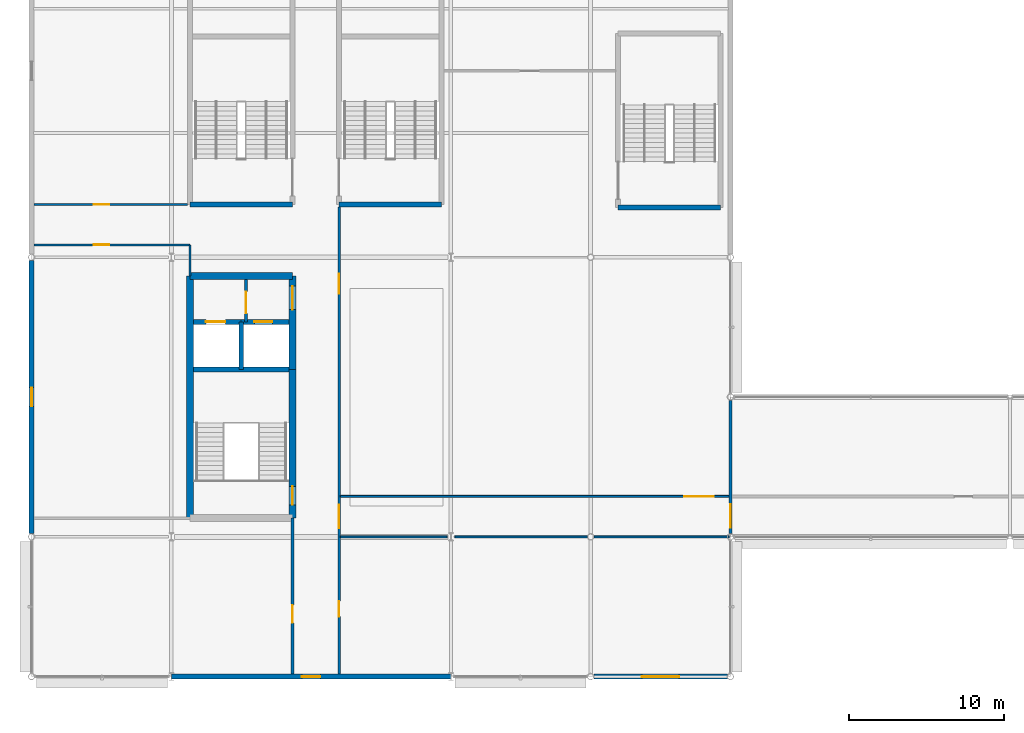
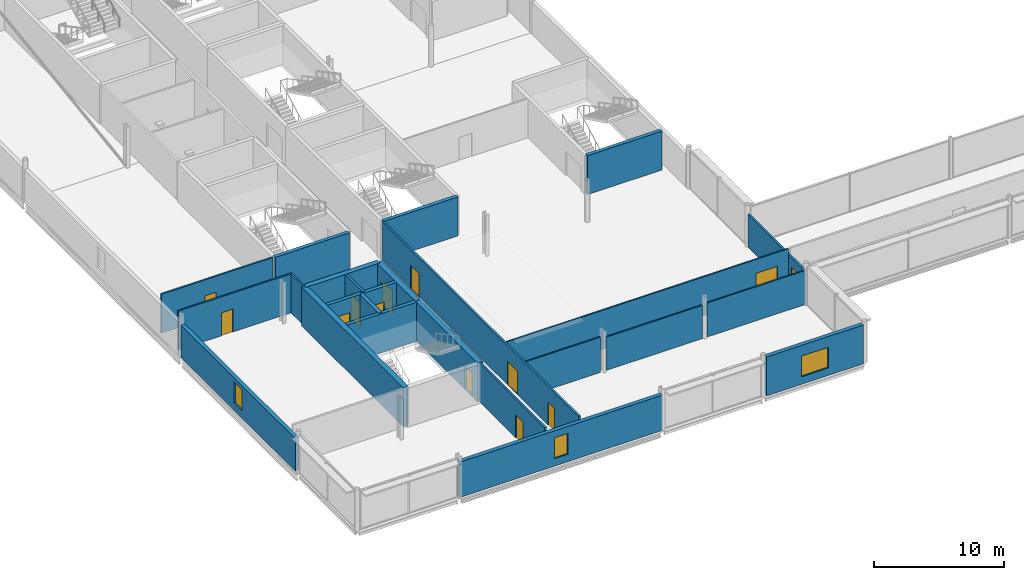
# One storey, part 53 of 96: 25 walls, 13 doors, 3 windows, 16 openings.
"""IFC4 building model written with IfcOpenShell, lengths in metres."""

from ifc_helpers import new_model, si_unit, direction, frame, frame_2d, origin, place, context, subcontext, project, spatial, rectangle, extrude, material, layer, layer_set, type_object, element, fill, save


model = new_model("IFC4")

# Units and contexts
model_context = context("Model", 3, precision=1e-05, world=origin(), true_north=direction((0.0, 1.0)))
body_context = subcontext(model_context, "Body", "Model", "MODEL_VIEW")
ifc_project = project(units=[si_unit("LENGTHUNIT", "METRE"), si_unit("AREAUNIT", "SQUARE_METRE"), si_unit("VOLUMEUNIT", "CUBIC_METRE"), si_unit("PLANEANGLEUNIT", "RADIAN"), si_unit("MASSUNIT", "GRAM", prefix="KILO")], contexts=[model_context])

# Site, building, storey
site_placement = place(None, origin())
site = spatial("IfcSite", under=ifc_project, at=site_placement, CompositionType="ELEMENT")
building_placement = place(site_placement, origin())
building = spatial("IfcBuilding", under=site, at=building_placement, Name="Kisiwana Market Hall", CompositionType="ELEMENT")
storey_placement = place(building_placement, frame((0.0, 0.0, 25.5)))
storey = spatial("IfcBuildingStorey", under=building, at=storey_placement, Name="L05", CompositionType="ELEMENT", Elevation=25.5)

# Wall, opening, door
ifc_material_1 = material(Name="Masonry blockwork", Category="masonry")
ifc_layer_1 = layer(ifc_material_1, 0.199951171875, Name="Plastered fire compartment block wall")
ifc_layer_set_1 = layer_set([ifc_layer_1], Name="WL-COMP-200")
wall_type_1 = type_object("IfcWallType", Name="WL-COMP-200", PredefinedType="PARTITIONING", material=ifc_layer_set_1)
wall_1_placement = place(storey_placement, frame((13.800048828125, 31.844970703125, 0.0), z_axis=(0.0, 0.0, 1.0), x_axis=(0.0, 1.0, 0.0)))
wall_1 = element("IfcWall", 1, at=wall_1_placement, inside=storey, type_object=wall_type_1, Name="Core W2 firefighting lobby wall W-1826", PredefinedType="PARTITIONING", context=body_context, shape_type="SweptSolid", body=[
    extrude(rectangle(XDim=2.72998046875, YDim=0.199951171875, at=frame_2d((1.364990234375, 0.0))), origin(), (0.0, 0.0, 1.0), 3.655029296875),
])
opening_1_placement = place(wall_1_placement, frame((0.550048828125, 0.0, 0.0)))
opening_1 = element("IfcOpeningElement", 2, at=opening_1_placement, cuts=wall_1, Name="Opening DR-L05-003", PredefinedType="OPENING", context=body_context, shape_type="SweptSolid", body=[
    extrude(rectangle(XDim=1.39990234375, YDim=2.25, at=frame_2d((0.699951171875, 1.125))), frame((0.0, 0.11181640625, 0.0), z_axis=(0.0, -1.0, 0.0), x_axis=(1.0, 0.0, 0.0)), (0.0, 0.0, 1.0), 0.223876953125),
])
ifc_material_2 = material(Name="Steel S275", Category="steel")
door_type_1 = type_object("IfcDoorType", Name="DR-FFLOB-FD120-1400", OperationType="DOUBLE_DOOR_SINGLE_SWING", PredefinedType="DOOR", material=ifc_material_2)
door_1_placement = place(opening_1_placement, frame((1.39990234375, 0.0, 0.0), z_axis=(0.0, 0.0, 1.0), x_axis=(-1.0, 0.0, 0.0)))
door_1 = element("IfcDoor", 3, at=door_1_placement, inside=storey, type_object=door_type_1, Name="Firefighting Lift Lobby W2 Door (L05)", OperationType="DOUBLE_DOOR_SINGLE_SWING", OverallHeight=2.25, OverallWidth=1.39990234375, PredefinedType="DOOR", context=body_context, shape_type="SweptSolid", body=[
    extrude(rectangle(XDim=1.39990234375, YDim=2.25, at=frame_2d((0.699951171875, 1.125))), frame((0.0, 0.02490234375, 0.0), z_axis=(0.0, -1.0, 0.0), x_axis=(1.0, 0.0, 0.0)), (0.0, 0.0, 1.0), 0.050048828125),
])
fill(opening_1, door_1)

# Walls
ifc_material_3 = material(Name="Concrete C40/50", Category="concrete")
ifc_layer_2 = layer(ifc_material_3, 0.320068359375, Name="Reinforced concrete shaft wall")
ifc_layer_set_2 = layer_set([ifc_layer_2], Name="WL-CORE-320")
wall_type_2 = type_object("IfcWallType", Name="WL-CORE-320", PredefinedType="SHEAR", material=ifc_layer_set_2)
wall_2_placement = place(storey_placement, frame((10.425048828125, 28.784912109375, 0.0), z_axis=(0.0, 0.0, 1.0), x_axis=(1.0, 0.0, 0.0)))
element("IfcWall", 4, at=wall_2_placement, inside=storey, type_object=wall_type_2, Name="Core W2 shaft back shear wall W-1707", PredefinedType="SHEAR", context=body_context, shape_type="SweptSolid", body=[
    extrude(rectangle(XDim=6.14990234375, YDim=0.320068359375, at=frame_2d((3.074951171875, 0.0))), origin(), (0.0, 0.0, 1.0), 3.655029296875),
])
wall_3_placement = place(storey_placement, frame((13.5, 28.784912109375, 0.0), z_axis=(0.0, 0.0, 1.0), x_axis=(0.0, 1.0, 0.0)))
element("IfcWall", 5, at=wall_3_placement, inside=storey, type_object=wall_type_2, Name="Core W2 inter-shaft shear wall W-1708", PredefinedType="SHEAR", context=body_context, shape_type="SweptSolid", body=[
    extrude(rectangle(XDim=3.06005859375, YDim=0.320068359375, at=frame_2d((1.530029296875, 0.0))), origin(), (0.0, 0.0, 1.0), 3.655029296875),
])

# Wall, opening, door
wall_4_placement = place(storey_placement, frame((10.425048828125, 31.844970703125, 0.0), z_axis=(0.0, 0.0, 1.0), x_axis=(1.0, 0.0, 0.0)))
wall_4 = element("IfcWall", 6, at=wall_4_placement, inside=storey, type_object=wall_type_2, Name="Core W2 west lift front wall W-1709", PredefinedType="SHEAR", context=body_context, shape_type="SweptSolid", body=[
    extrude(rectangle(XDim=3.074951171875, YDim=0.320068359375, at=frame_2d((1.53759765625, 0.0))), origin(), (0.0, 0.0, 1.0), 3.655029296875),
])
opening_2_placement = place(wall_4_placement, frame((0.800048828125, 0.0, 0.0)))
opening_2 = element("IfcOpeningElement", 7, at=opening_2_placement, cuts=wall_4, Name="Opening LD-L05-001", PredefinedType="OPENING", context=body_context, shape_type="SweptSolid", body=[
    extrude(rectangle(XDim=1.25, YDim=2.25, at=frame_2d((0.625, 1.125))), frame((0.0, 0.171875, 0.0), z_axis=(0.0, -1.0, 0.0), x_axis=(1.0, 0.0, 0.0)), (0.0, 0.0, 1.0), 0.343994140625),
])
ifc_material_4 = material(Name="Steel S275", Category="steel")
door_type_2 = type_object("IfcDoorType", Name="DR-LIFT-FFL-1250", OperationType="DOUBLE_DOOR_SLIDING", PredefinedType="DOOR", material=ifc_material_4)
door_2_placement = place(opening_2_placement, origin())
door_2 = element("IfcDoor", 8, at=door_2_placement, inside=storey, type_object=door_type_2, Name="Lift Landing Door FFL-01 (L05)", OperationType="DOUBLE_DOOR_SLIDING", OverallHeight=2.25, OverallWidth=1.25, PredefinedType="DOOR", context=body_context, shape_type="SweptSolid", body=[
    extrude(rectangle(XDim=1.25, YDim=2.25, at=frame_2d((0.625, 1.125))), frame((0.0, 0.02490234375, 0.0), z_axis=(0.0, -1.0, 0.0), x_axis=(1.0, 0.0, 0.0)), (0.0, 0.0, 1.0), 0.050048828125),
])
fill(opening_2, door_2)

wall_5_placement = place(storey_placement, frame((13.5, 31.844970703125, 0.0), z_axis=(0.0, 0.0, 1.0), x_axis=(1.0, 0.0, 0.0)))
wall_5 = element("IfcWall", 9, at=wall_5_placement, inside=storey, type_object=wall_type_2, Name="Core W2 east lift front wall W-1710", PredefinedType="SHEAR", context=body_context, shape_type="SweptSolid", body=[
    extrude(rectangle(XDim=3.074951171875, YDim=0.320068359375, at=frame_2d((1.53759765625, 0.0))), origin(), (0.0, 0.0, 1.0), 3.655029296875),
])
opening_3_placement = place(wall_5_placement, frame((0.85009765625, 0.0, 0.0)))
opening_3 = element("IfcOpeningElement", 10, at=opening_3_placement, cuts=wall_5, Name="Opening LD-L05-002", PredefinedType="OPENING", context=body_context, shape_type="SweptSolid", body=[
    extrude(rectangle(XDim=1.14990234375, YDim=2.199951171875, at=frame_2d((0.574951171875, 1.10009765625))), frame((0.0, 0.171875, 0.0), z_axis=(0.0, -1.0, 0.0), x_axis=(1.0, 0.0, 0.0)), (0.0, 0.0, 1.0), 0.343994140625),
])
ifc_material_5 = material(Name="Steel S275", Category="steel")
door_type_3 = type_object("IfcDoorType", Name="DR-LIFT-PAX-1150", OperationType="DOUBLE_DOOR_SLIDING", PredefinedType="DOOR", material=ifc_material_5)
door_3_placement = place(opening_3_placement, origin())
door_3 = element("IfcDoor", 11, at=door_3_placement, inside=storey, type_object=door_type_3, Name="Lift Landing Door LP-01 (L05)", OperationType="DOUBLE_DOOR_SLIDING", OverallHeight=2.199951171875, OverallWidth=1.14990234375, PredefinedType="DOOR", context=body_context, shape_type="SweptSolid", body=[
    extrude(rectangle(XDim=1.14990234375, YDim=2.199951171875, at=frame_2d((0.574951171875, 1.10009765625))), frame((0.0, 0.02490234375, 0.0), z_axis=(0.0, -1.0, 0.0), x_axis=(1.0, 0.0, 0.0)), (0.0, 0.0, 1.0), 0.050048828125),
])
fill(opening_3, door_3)

# Walls
wall_6_placement = place(storey_placement, frame((10.199951171875, 39.39990234375, 0.0), z_axis=(0.0, 0.0, 1.0), x_axis=(1.0, 0.0, 0.0)))
element("IfcWall", 12, at=wall_6_placement, inside=storey, type_object=wall_type_2, Name="Core W3 south shear wall W-1738", PredefinedType="SHEAR", context=body_context, shape_type="SweptSolid", body=[
    extrude(rectangle(XDim=6.60009765625, YDim=0.320068359375, at=frame_2d((3.300048828125, 0.0))), origin(), (0.0, 0.0, 1.0), 3.655029296875),
])
wall_7_placement = place(storey_placement, frame((19.800048828125, 39.39990234375, 0.0), z_axis=(0.0, 0.0, 1.0), x_axis=(1.0, 0.0, 0.0)))
element("IfcWall", 13, at=wall_7_placement, inside=storey, type_object=wall_type_2, Name="Core W7 south shear wall W-1758", PredefinedType="SHEAR", context=body_context, shape_type="SweptSolid", body=[
    extrude(rectangle(XDim=6.599853515625, YDim=0.320068359375, at=frame_2d((3.2998046875, 0.0))), origin(), (0.0, 0.0, 1.0), 3.655029296875),
])
wall_8_placement = place(storey_placement, frame((37.77001953125, 39.199951171875, 0.0), z_axis=(0.0, 0.0, 1.0), x_axis=(1.0, 0.0, 0.0)))
element("IfcWall", 14, at=wall_8_placement, inside=storey, type_object=wall_type_2, Name="Core W9 south shear wall W-1778", PredefinedType="SHEAR", context=body_context, shape_type="SweptSolid", body=[
    extrude(rectangle(XDim=6.60009765625, YDim=0.320068359375, at=frame_2d((3.300048828125, 0.0))), origin(), (0.0, 0.0, 1.0), 3.655029296875),
])
ifc_material_6 = material(Name="Concrete C40/50", Category="concrete")
ifc_layer_3 = layer(ifc_material_6, 0.449951171875, Name="Reinforced concrete core wall")
ifc_layer_set_3 = layer_set([ifc_layer_3], Name="WL-CORE-450")
wall_type_3 = type_object("IfcWallType", Name="WL-CORE-450", PredefinedType="SHEAR", material=ifc_layer_set_3)
wall_9_placement = place(storey_placement, frame((10.199951171875, 34.800048828125, 0.0), z_axis=(0.0, 0.0, 1.0), x_axis=(1.0, 0.0, 0.0)))
element("IfcWall", 15, at=wall_9_placement, inside=storey, type_object=wall_type_3, Name="Core W2 north shear wall W-1703", PredefinedType="SHEAR", context=body_context, shape_type="SweptSolid", body=[
    extrude(rectangle(XDim=6.60009765625, YDim=0.449951171875, at=frame_2d((3.300048828125, 0.0))), origin(), (0.0, 0.0, 1.0), 3.655029296875),
])
wall_10_placement = place(storey_placement, frame((10.199951171875, 19.199951171875, 0.0), z_axis=(0.0, 0.0, 1.0), x_axis=(0.0, 1.0, 0.0)))
element("IfcWall", 16, at=wall_10_placement, inside=storey, type_object=wall_type_3, Name="Core W2 outer shear wall W-1704", PredefinedType="SHEAR", context=body_context, shape_type="SweptSolid", body=[
    extrude(rectangle(XDim=15.60009765625, YDim=0.449951171875, at=frame_2d((7.800048828125, 0.0))), origin(), (0.0, 0.0, 1.0), 3.655029296875),
])

# Wall, opening, door
wall_11_placement = place(storey_placement, frame((16.800048828125, 19.199951171875, 0.0), z_axis=(0.0, 0.0, 1.0), x_axis=(0.0, 1.0, 0.0)))
wall_11 = element("IfcWall", 17, at=wall_11_placement, inside=storey, type_object=wall_type_3, Name="Core W2 stair corridor shear wall W-1705", PredefinedType="SHEAR", context=body_context, shape_type="SweptSolid", body=[
    extrude(rectangle(XDim=9.5849609375, YDim=0.449951171875, at=frame_2d((4.79248046875, 0.0))), origin(), (0.0, 0.0, 1.0), 3.655029296875),
])
opening_4_placement = place(wall_11_placement, frame((0.85009765625, 0.0, 0.0)))
opening_4 = element("IfcOpeningElement", 18, at=opening_4_placement, cuts=wall_11, Name="Opening DR-L05-001", PredefinedType="OPENING", context=body_context, shape_type="SweptSolid", body=[
    extrude(rectangle(XDim=1.199951171875, YDim=2.199951171875, at=frame_2d((0.60009765625, 1.10009765625))), frame((0.0, 0.23681640625, 0.0), z_axis=(0.0, -1.0, 0.0), x_axis=(1.0, 0.0, 0.0)), (0.0, 0.0, 1.0), 0.473876953125),
])
ifc_material_7 = material(Name="Steel S275", Category="steel")
door_type_4 = type_object("IfcDoorType", Name="DR-STAIR-FD120-1200", OperationType="NOTDEFINED", PredefinedType="DOOR", material=ifc_material_7)
door_4_placement = place(opening_4_placement, origin())
door_4 = element("IfcDoor", 19, at=door_4_placement, inside=storey, type_object=door_type_4, Name="Escape Stair W2 Fire Door (L05)", OperationType="SINGLE_SWING_LEFT", OverallHeight=2.199951171875, OverallWidth=1.199951171875, PredefinedType="DOOR", context=body_context, shape_type="SweptSolid", body=[
    extrude(rectangle(XDim=1.199951171875, YDim=2.199951171875, at=frame_2d((0.60009765625, 1.10009765625))), frame((0.0, 0.02490234375, 0.0), z_axis=(0.0, -1.0, 0.0), x_axis=(1.0, 0.0, 0.0)), (0.0, 0.0, 1.0), 0.050048828125),
])
fill(opening_4, door_4)

wall_12_placement = place(storey_placement, frame((16.800048828125, 28.784912109375, 0.0), z_axis=(0.0, 0.0, 1.0), x_axis=(0.0, 1.0, 0.0)))
wall_12 = element("IfcWall", 20, at=wall_12_placement, inside=storey, type_object=wall_type_3, Name="Core W2 lobby corridor shear wall W-1706", PredefinedType="SHEAR", context=body_context, shape_type="SweptSolid", body=[
    extrude(rectangle(XDim=6.01513671875, YDim=0.449951171875, at=frame_2d((3.007568359375, 0.0))), origin(), (0.0, 0.0, 1.0), 3.655029296875),
])
opening_5_placement = place(wall_12_placement, frame((3.85009765625, 0.0, 0.0)))
opening_5 = element("IfcOpeningElement", 21, at=opening_5_placement, cuts=wall_12, Name="Opening DR-L05-002", PredefinedType="OPENING", context=body_context, shape_type="SweptSolid", body=[
    extrude(rectangle(XDim=1.5, YDim=2.199951171875, at=frame_2d((0.75, 1.10009765625))), frame((0.0, 0.23681640625, 0.0), z_axis=(0.0, -1.0, 0.0), x_axis=(1.0, 0.0, 0.0)), (0.0, 0.0, 1.0), 0.473876953125),
])
ifc_material_8 = material(Name="Steel S275", Category="steel")
door_type_5 = type_object("IfcDoorType", Name="DR-CORR-FD60-1500", OperationType="DOUBLE_DOOR_SINGLE_SWING", PredefinedType="DOOR", material=ifc_material_8)
door_5_placement = place(opening_5_placement, frame((1.5, 0.0, 0.0), z_axis=(0.0, 0.0, 1.0), x_axis=(-1.0, 0.0, 0.0)))
door_5 = element("IfcDoor", 22, at=door_5_placement, inside=storey, type_object=door_type_5, Name="Passenger Lift Lobby W2 Smoke Door (L05)", OperationType="DOUBLE_DOOR_SINGLE_SWING", OverallHeight=2.199951171875, OverallWidth=1.5, PredefinedType="DOOR", context=body_context, shape_type="SweptSolid", body=[
    extrude(rectangle(XDim=1.5, YDim=2.199951171875, at=frame_2d((0.75, 1.10009765625))), frame((0.0, 0.02490234375, 0.0), z_axis=(0.0, -1.0, 0.0), x_axis=(1.0, 0.0, 0.0)), (0.0, 0.0, 1.0), 0.050048828125),
])
fill(opening_5, door_5)

ifc_material_9 = material(Name="Masonry blockwork", Category="masonry")
ifc_layer_4 = layer(ifc_material_9, 0.169921875, Name="Protected corridor partition")
ifc_layer_set_4 = layer_set([ifc_layer_4], Name="WL-CORR-170")
wall_type_4 = type_object("IfcWallType", Name="WL-CORR-170", PredefinedType="PARTITIONING", material=ifc_layer_set_4)
wall_13_placement = place(storey_placement, frame((16.800048828125, 9.157470703125, 0.0), z_axis=(0.0, 0.0, 1.0), x_axis=(0.0, 1.0, 0.0)))
wall_13 = element("IfcWall", 23, at=wall_13_placement, inside=storey, type_object=wall_type_4, Name="Interior partition W-1842", PredefinedType="PARTITIONING", context=body_context, shape_type="SweptSolid", body=[
    extrude(rectangle(XDim=10.04248046875, YDim=0.169921875, at=frame_2d((5.021240234375, 0.0))), origin(), (0.0, 0.0, 1.0), 3.655029296875),
])
opening_6_placement = place(wall_13_placement, frame((3.300048828125, 0.0, 0.0)))
opening_6 = element("IfcOpeningElement", 24, at=opening_6_placement, cuts=wall_13, Name="Opening DR-L05-033", PredefinedType="OPENING", context=body_context, shape_type="SweptSolid", body=[
    extrude(rectangle(XDim=1.14990234375, YDim=2.14990234375, at=frame_2d((0.574951171875, 1.074951171875))), frame((0.0, 0.096923828125, 0.0), z_axis=(0.0, -1.0, 0.0), x_axis=(1.0, 0.0, 0.0)), (0.0, 0.0, 1.0), 0.19384765625),
])
ifc_material_10 = material(Name="Aluminium alloy 6063-T6", Category="aluminium")
door_type_6 = type_object("IfcDoorType", Name="DR-MEET-1150", OperationType="NOTDEFINED", PredefinedType="DOOR", material=ifc_material_10)
door_6_placement = place(opening_6_placement, origin())
door_6 = element("IfcDoor", 25, at=door_6_placement, inside=storey, type_object=door_type_6, Name="L05 W Corner Office Suite South Door", OperationType="SINGLE_SWING_LEFT", OverallHeight=2.14990234375, OverallWidth=1.14990234375, PredefinedType="DOOR", context=body_context, shape_type="SweptSolid", body=[
    extrude(rectangle(XDim=1.14990234375, YDim=2.14990234375, at=frame_2d((0.574951171875, 1.074951171875))), frame((0.0, 0.02490234375, 0.0), z_axis=(0.0, -1.0, 0.0), x_axis=(1.0, 0.0, 0.0)), (0.0, 0.0, 1.0), 0.050048828125),
])
fill(opening_6, door_6)

# Wall, openings, doors
wall_14_placement = place(storey_placement, frame((19.800048828125, 9.157470703125, 0.0), z_axis=(0.0, 0.0, 1.0), x_axis=(0.0, 1.0, 0.0)))
wall_14 = element("IfcWall", 26, at=wall_14_placement, inside=storey, type_object=wall_type_4, Name="Interior partition W-1854", PredefinedType="PARTITIONING", context=body_context, shape_type="SweptSolid", body=[
    extrude(rectangle(XDim=30.08251953125, YDim=0.169921875, at=frame_2d((15.041259765625, 0.0))), origin(), (0.0, 0.0, 1.0), 3.655029296875),
])
opening_7_placement = place(wall_14_placement, frame((3.701904296875, 0.0, 0.0)))
opening_7 = element("IfcOpeningElement", 27, at=opening_7_placement, cuts=wall_14, Name="Opening DR-L05-037", PredefinedType="OPENING", context=body_context, shape_type="SweptSolid", body=[
    extrude(rectangle(XDim=1.0, YDim=2.14990234375, at=frame_2d((0.5, 1.074951171875))), frame((0.0, 0.096923828125, 0.0), z_axis=(0.0, -1.0, 0.0), x_axis=(1.0, 0.0, 0.0)), (0.0, 0.0, 1.0), 0.19384765625),
])
opening_8_placement = place(wall_14_placement, frame((9.39306640625, 0.0, 0.0)))
opening_8 = element("IfcOpeningElement", 28, at=opening_8_placement, cuts=wall_14, Name="Opening DR-L05-038", PredefinedType="OPENING", context=body_context, shape_type="SweptSolid", body=[
    extrude(rectangle(XDim=1.5, YDim=2.199951171875, at=frame_2d((0.75, 1.10009765625))), frame((0.0, 0.096923828125, 0.0), z_axis=(0.0, -1.0, 0.0), x_axis=(1.0, 0.0, 0.0)), (0.0, 0.0, 1.0), 0.19384765625),
])
opening_9_placement = place(wall_14_placement, frame((24.501953125, 0.0, 0.0)))
opening_9 = element("IfcOpeningElement", 29, at=opening_9_placement, cuts=wall_14, Name="Opening DR-L05-039", PredefinedType="OPENING", context=body_context, shape_type="SweptSolid", body=[
    extrude(rectangle(XDim=1.280029296875, YDim=2.199951171875, at=frame_2d((0.64013671875, 1.10009765625))), frame((0.0, 0.096923828125, 0.0), z_axis=(0.0, -1.0, 0.0), x_axis=(1.0, 0.0, 0.0)), (0.0, 0.0, 1.0), 0.19384765625),
])
door_7_placement = place(opening_8_placement, origin())
door_7 = element("IfcDoor", 30, at=door_7_placement, inside=storey, type_object=door_type_5, Name="L05 W South Skybridge Link Corridor Door", OperationType="DOUBLE_DOOR_SINGLE_SWING", OverallHeight=2.199951171875, OverallWidth=1.5, PredefinedType="DOOR", context=body_context, shape_type="SweptSolid", body=[
    extrude(rectangle(XDim=1.5, YDim=2.199951171875, at=frame_2d((0.75, 1.10009765625))), frame((0.0, 0.02490234375, 0.0), z_axis=(0.0, -1.0, 0.0), x_axis=(1.0, 0.0, 0.0)), (0.0, 0.0, 1.0), 0.050048828125),
])
fill(opening_8, door_7)
ifc_material_11 = material(Name="Hardwood timber", Category="wood")
door_type_7 = type_object("IfcDoorType", Name="DR-MEET-1280", OperationType="NOTDEFINED", PredefinedType="DOOR", material=ifc_material_11)
door_8_placement = place(opening_9_placement, frame((1.280029296875, 0.0, 0.0), z_axis=(0.0, 0.0, 1.0), x_axis=(-1.0, 0.0, 0.0)))
door_8 = element("IfcDoor", 31, at=door_8_placement, inside=storey, type_object=door_type_7, Name="L05 W Meeting Room A2 Door", OperationType="SINGLE_SWING_LEFT", OverallHeight=2.199951171875, OverallWidth=1.280029296875, PredefinedType="DOOR", context=body_context, shape_type="SweptSolid", body=[
    extrude(rectangle(XDim=1.280029296875, YDim=2.199951171875, at=frame_2d((0.64013671875, 1.10009765625))), frame((0.0, 0.02490234375, 0.0), z_axis=(0.0, -1.0, 0.0), x_axis=(1.0, 0.0, 0.0)), (0.0, 0.0, 1.0), 0.050048828125),
])
fill(opening_9, door_8)
ifc_material_12 = material(Name="Aluminium alloy 6063-T6", Category="aluminium")
door_type_8 = type_object("IfcDoorType", Name="DR-OFF-1000", OperationType="NOTDEFINED", PredefinedType="DOOR", material=ifc_material_12)
door_9_placement = place(opening_7_placement, frame((1.0, 0.0, 0.0), z_axis=(0.0, 0.0, 1.0), x_axis=(-1.0, 0.0, 0.0)))
door_9 = element("IfcDoor", 32, at=door_9_placement, inside=storey, type_object=door_type_8, Name="L05 W Commercial Office A1 Door", OperationType="SINGLE_SWING_RIGHT", OverallHeight=2.14990234375, OverallWidth=1.0, PredefinedType="DOOR", context=body_context, shape_type="SweptSolid", body=[
    extrude(rectangle(XDim=1.0, YDim=2.14990234375, at=frame_2d((0.5, 1.074951171875))), frame((0.0, 0.02490234375, 0.0), z_axis=(0.0, -1.0, 0.0), x_axis=(1.0, 0.0, 0.0)), (0.0, 0.0, 1.0), 0.050048828125),
])
fill(opening_7, door_9)

# Wall, opening, door
wall_15_placement = place(storey_placement, frame((45.0, 18.219970703125, 0.0), z_axis=(0.0, 0.0, 1.0), x_axis=(0.0, 1.0, 0.0)))
wall_15 = element("IfcWall", 33, at=wall_15_placement, inside=storey, type_object=wall_type_4, Name="Interior partition W-1856", PredefinedType="PARTITIONING", context=body_context, shape_type="SweptSolid", body=[
    extrude(rectangle(XDim=8.56005859375, YDim=0.169921875, at=frame_2d((4.280029296875, 0.0))), origin(), (0.0, 0.0, 1.0), 3.101806640625),
])
opening_10_placement = place(wall_15_placement, frame((0.3798828125, 0.0, 0.0)))
opening_10 = element("IfcOpeningElement", 34, at=opening_10_placement, cuts=wall_15, Name="Opening DR-L05-044", PredefinedType="OPENING", context=body_context, shape_type="SweptSolid", body=[
    extrude(rectangle(XDim=1.5, YDim=2.199951171875, at=frame_2d((0.75, 1.10009765625))), frame((0.0, 0.096923828125, 0.0), z_axis=(0.0, -1.0, 0.0), x_axis=(1.0, 0.0, 0.0)), (0.0, 0.0, 1.0), 0.19384765625),
])
door_10_placement = place(opening_10_placement, origin())
door_10 = element("IfcDoor", 35, at=door_10_placement, inside=storey, type_object=door_type_5, Name="L05 W South Skybridge Spine Door", OperationType="DOUBLE_DOOR_SINGLE_SWING", OverallHeight=2.199951171875, OverallWidth=1.5, PredefinedType="DOOR", context=body_context, shape_type="SweptSolid", body=[
    extrude(rectangle(XDim=1.5, YDim=2.199951171875, at=frame_2d((0.75, 1.10009765625))), frame((0.0, 0.02490234375, 0.0), z_axis=(0.0, -1.0, 0.0), x_axis=(1.0, 0.0, 0.0)), (0.0, 0.0, 1.0), 0.050048828125),
])
fill(opening_10, door_10)

# Wall, opening, window
ifc_material_13 = material(Name="Concrete C40/50 precast", Category="concrete")
ifc_layer_5 = layer(ifc_material_13, 0.14990234375, Name="Precast architectural concrete spandrel")
ifc_material_14 = material(Name="Mineral wool insulation")
ifc_layer_6 = layer(ifc_material_14, 0.090087890625, Name="Rockwool thermal insulation")
ifc_material_15 = material(Name="Masonry blockwork", Category="masonry")
ifc_layer_7 = layer(ifc_material_15, 0.10009765625, Name="Inner masonry block leaf")
ifc_layer_set_5 = layer_set([ifc_layer_5, ifc_layer_6, ifc_layer_7], Name="WL-EXT-PREC-340")
wall_type_5 = type_object("IfcWallType", Name="WL-EXT-PREC-340", PredefinedType="STANDARD", material=ifc_layer_set_5)
wall_16_placement = place(storey_placement, frame((9.010009765625, 9.0, 0.0), z_axis=(0.0, 0.0, 1.0), x_axis=(1.0, 0.0, 0.0)))
wall_16 = element("IfcWall", 36, at=wall_16_placement, inside=storey, type_object=wall_type_5, Name="Exterior wall W-1802", PredefinedType="STANDARD", context=body_context, shape_type="SweptSolid", body=[
    extrude(rectangle(XDim=17.97998046875, YDim=0.340087890625, at=frame_2d((8.989990234375, 0.0))), origin(), (0.0, 0.0, 1.0), 3.315185546875),
])
opening_11_placement = place(wall_16_placement, frame((8.389892578125, 0.0, 0.699951171875)))
opening_11 = element("IfcOpeningElement", 37, at=opening_11_placement, cuts=wall_16, Name="Opening WN-15", PredefinedType="OPENING", context=body_context, shape_type="SweptSolid", body=[
    extrude(rectangle(XDim=1.199951171875, YDim=1.949951171875, at=frame_2d((0.60009765625, 0.97509765625))), frame((0.0, 0.18212890625, 0.0), z_axis=(0.0, -1.0, 0.0), x_axis=(1.0, 0.0, 0.0)), (0.0, 0.0, 1.0), 0.364013671875),
])
ifc_material_16 = material(Name="Double-glazed solar-control low-E IGU", Category="glass")
window_type_1 = type_object("IfcWindowType", Name="WN-OFFA-1200x1950", PartitioningType="SINGLE_PANEL", PredefinedType="WINDOW", material=ifc_material_16)
window_1_placement = place(opening_11_placement, origin())
window_1 = element("IfcWindow", 38, at=window_1_placement, inside=storey, type_object=window_type_1, Name="Exterior window WN-167", OverallHeight=1.949951171875, OverallWidth=1.199951171875, PartitioningType="SINGLE_PANEL", PredefinedType="WINDOW", context=body_context, shape_type="SweptSolid", body=[
    extrude(rectangle(XDim=1.199951171875, YDim=1.949951171875, at=frame_2d((0.60009765625, 0.97509765625))), frame((0.0, 0.030029296875, 0.0), z_axis=(0.0, -1.0, 0.0), x_axis=(1.0, 0.0, 0.0)), (0.0, 0.0, 1.0), 0.06005859375),
])
fill(opening_11, window_1)

wall_17_placement = place(storey_placement, frame((36.205078125, 9.0, 0.0), z_axis=(0.0, 0.0, 1.0), x_axis=(1.0, 0.0, 0.0)))
wall_17 = element("IfcWall", 39, at=wall_17_placement, inside=storey, type_object=wall_type_5, Name="Exterior wall W-1803", PredefinedType="STANDARD", context=body_context, shape_type="SweptSolid", body=[
    extrude(rectangle(XDim=8.58984375, YDim=0.340087890625, at=frame_2d((4.294921875, 0.0))), origin(), (0.0, 0.0, 1.0), 3.655029296875),
])
opening_12_placement = place(wall_17_placement, frame((3.0947265625, 0.0, 0.699951171875)))
opening_12 = element("IfcOpeningElement", 40, at=opening_12_placement, cuts=wall_17, Name="Opening WN-27", PredefinedType="OPENING", context=body_context, shape_type="SweptSolid", body=[
    extrude(rectangle(XDim=2.39990234375, YDim=1.949951171875, at=frame_2d((1.199951171875, 0.97509765625))), frame((0.0, 0.18212890625, 0.0), z_axis=(0.0, -1.0, 0.0), x_axis=(1.0, 0.0, 0.0)), (0.0, 0.0, 1.0), 0.364013671875),
])
ifc_material_17 = material(Name="Double-glazed solar-control low-E IGU", Category="glass")
window_type_2 = type_object("IfcWindowType", Name="WN-OFFA-2400x1950", PartitioningType="SINGLE_PANEL", PredefinedType="WINDOW", material=ifc_material_17)
window_2_placement = place(opening_12_placement, origin())
window_2 = element("IfcWindow", 41, at=window_2_placement, inside=storey, type_object=window_type_2, Name="Exterior window WN-179", OverallHeight=1.949951171875, OverallWidth=2.39990234375, PartitioningType="SINGLE_PANEL", PredefinedType="WINDOW", context=body_context, shape_type="SweptSolid", body=[
    extrude(rectangle(XDim=2.39990234375, YDim=1.949951171875, at=frame_2d((1.199951171875, 0.97509765625))), frame((0.0, 0.030029296875, 0.0), z_axis=(0.0, -1.0, 0.0), x_axis=(1.0, 0.0, 0.0)), (0.0, 0.0, 1.0), 0.06005859375),
])
fill(opening_12, window_2)

wall_18_placement = place(storey_placement, frame((0.0, 18.205078125, 0.0), z_axis=(0.0, 0.0, 1.0), x_axis=(0.0, 1.0, 0.0)))
wall_18 = element("IfcWall", 42, at=wall_18_placement, inside=storey, type_object=wall_type_5, Name="Exterior wall W-1812", PredefinedType="STANDARD", context=body_context, shape_type="SweptSolid", body=[
    extrude(rectangle(XDim=17.58984375, YDim=0.340087890625, at=frame_2d((8.794921875, 0.0))), origin(), (0.0, 0.0, 1.0), 3.042724609375),
])
opening_13_placement = place(wall_18_placement, frame((8.19482421875, 0.0, 0.699951171875)))
opening_13 = element("IfcOpeningElement", 43, at=opening_13_placement, cuts=wall_18, Name="Opening WN-15", PredefinedType="OPENING", context=body_context, shape_type="SweptSolid", body=[
    extrude(rectangle(XDim=1.199951171875, YDim=1.949951171875, at=frame_2d((0.60009765625, 0.97509765625))), frame((0.0, 0.18212890625, 0.0), z_axis=(0.0, -1.0, 0.0), x_axis=(1.0, 0.0, 0.0)), (0.0, 0.0, 1.0), 0.364013671875),
])
window_3_placement = place(opening_13_placement, origin())
window_3 = element("IfcWindow", 44, at=window_3_placement, inside=storey, type_object=window_type_1, Name="Exterior window WN-171", OverallHeight=1.949951171875, OverallWidth=1.199951171875, PartitioningType="SINGLE_PANEL", PredefinedType="WINDOW", context=body_context, shape_type="SweptSolid", body=[
    extrude(rectangle(XDim=1.199951171875, YDim=1.949951171875, at=frame_2d((0.60009765625, 0.97509765625))), frame((0.0, 0.030029296875, 0.0), z_axis=(0.0, -1.0, 0.0), x_axis=(1.0, 0.0, 0.0)), (0.0, 0.0, 1.0), 0.06005859375),
])
fill(opening_13, window_3)

# Walls
ifc_material_18 = material(Name="Gypsum plasterboard")
ifc_layer_8 = layer(ifc_material_18, 0.125, Name="Double gypsum board + acoustic stud")
ifc_layer_set_6 = layer_set([ifc_layer_8], Name="WL-OFF-125")
wall_type_6 = type_object("IfcWallType", Name="WL-OFF-125", PredefinedType="PARTITIONING", material=ifc_layer_set_6)
wall_19_placement = place(storey_placement, frame((19.885009765625, 18.0, 0.0), z_axis=(0.0, 0.0, 1.0), x_axis=(1.0, 0.0, 0.0)))
element("IfcWall", 45, at=wall_19_placement, inside=storey, type_object=wall_type_6, Name="Interior partition W-1844", PredefinedType="PARTITIONING", context=body_context, shape_type="SweptSolid", body=[
    extrude(rectangle(XDim=6.864990234375, YDim=0.125, at=frame_2d((3.4326171875, 0.0))), origin(), (0.0, 0.0, 1.0), 3.315185546875),
])
wall_20_placement = place(storey_placement, frame((27.25, 18.0, 0.0), z_axis=(0.0, 0.0, 1.0), x_axis=(1.0, 0.0, 0.0)))
element("IfcWall", 46, at=wall_20_placement, inside=storey, type_object=wall_type_6, Name="Interior partition W-1845", PredefinedType="PARTITIONING", context=body_context, shape_type="SweptSolid", body=[
    extrude(rectangle(XDim=8.546875, YDim=0.125, at=frame_2d((4.2734375, 0.0))), origin(), (0.0, 0.0, 1.0), 3.121826171875),
])
wall_21_placement = place(storey_placement, frame((36.203125, 18.0, 0.0), z_axis=(0.0, 0.0, 1.0), x_axis=(1.0, 0.0, 0.0)))
element("IfcWall", 47, at=wall_21_placement, inside=storey, type_object=wall_type_6, Name="Interior partition W-1846", PredefinedType="PARTITIONING", context=body_context, shape_type="SweptSolid", body=[
    extrude(rectangle(XDim=8.7119140625, YDim=0.125, at=frame_2d((4.35595703125, 0.0))), origin(), (0.0, 0.0, 1.0), 3.195068359375),
])

# Wall, opening, door
wall_22_placement = place(storey_placement, frame((19.885009765625, 20.60009765625, 0.0), z_axis=(0.0, 0.0, 1.0), x_axis=(1.0, 0.0, 0.0)))
wall_22 = element("IfcWall", 48, at=wall_22_placement, inside=storey, type_object=wall_type_6, Name="Interior partition W-1847", PredefinedType="PARTITIONING", context=body_context, shape_type="SweptSolid", body=[
    extrude(rectangle(XDim=25.030029296875, YDim=0.125, at=frame_2d((12.51513671875, 0.0))), origin(), (0.0, 0.0, 1.0), 3.655029296875),
])
opening_14_placement = place(wall_22_placement, frame((22.135009765625, 0.0, 0.0)))
opening_14 = element("IfcOpeningElement", 49, at=opening_14_placement, cuts=wall_22, Name="Opening DR-L05-035", PredefinedType="OPENING", context=body_context, shape_type="SweptSolid", body=[
    extrude(rectangle(XDim=1.89990234375, YDim=2.35009765625, at=frame_2d((0.949951171875, 1.175048828125))), frame((0.0, 0.074462890625, 0.0), z_axis=(0.0, -1.0, 0.0), x_axis=(1.0, 0.0, 0.0)), (0.0, 0.0, 1.0), 0.14892578125),
])
ifc_material_19 = material(Name="Steel S275", Category="steel")
door_type_9 = type_object("IfcDoorType", Name="DR-HALL-1900", OperationType="DOUBLE_DOOR_SINGLE_SWING", PredefinedType="DOOR", material=ifc_material_19)
door_11_placement = place(opening_14_placement, origin())
door_11 = element("IfcDoor", 50, at=door_11_placement, inside=storey, type_object=door_type_9, Name="L05 W Meeting Room A2 Exit Door", OperationType="DOUBLE_DOOR_SINGLE_SWING", OverallHeight=2.35009765625, OverallWidth=1.89990234375, PredefinedType="DOOR", context=body_context, shape_type="SweptSolid", body=[
    extrude(rectangle(XDim=1.89990234375, YDim=2.35009765625, at=frame_2d((0.949951171875, 1.175048828125))), frame((0.0, 0.02490234375, 0.0), z_axis=(0.0, -1.0, 0.0), x_axis=(1.0, 0.0, 0.0)), (0.0, 0.0, 1.0), 0.050048828125),
])
fill(opening_14, door_11)

# Wall
ifc_material_20 = material(Name="Masonry blockwork", Category="masonry")
ifc_layer_9 = layer(ifc_material_20, 0.139892578125)
ifc_layer_set_7 = layer_set([ifc_layer_9], Name="WL-PART-140")
wall_type_7 = type_object("IfcWallType", Name="WL-PART-140", PredefinedType="PARTITIONING", material=ifc_layer_set_7)
wall_23_placement = place(storey_placement, frame((10.199951171875, 34.800048828125, 0.0), z_axis=(0.0, 0.0, 1.0), x_axis=(0.0, 1.0, 0.0)))
element("IfcWall", 51, at=wall_23_placement, inside=storey, type_object=wall_type_7, Name="Interior partition W-1834", PredefinedType="PARTITIONING", context=body_context, shape_type="SweptSolid", body=[
    extrude(rectangle(XDim=2.0, YDim=0.139892578125, at=frame_2d((1.0, 0.0))), origin(), (0.0, 0.0, 1.0), 3.655029296875),
])

# Wall, opening, door
wall_24_placement = place(storey_placement, frame((0.157470703125, 36.800048828125, 0.0), z_axis=(0.0, 0.0, 1.0), x_axis=(1.0, 0.0, 0.0)))
wall_24 = element("IfcWall", 52, at=wall_24_placement, inside=storey, type_object=wall_type_7, Name="Interior partition W-1838", PredefinedType="PARTITIONING", context=body_context, shape_type="SweptSolid", body=[
    extrude(rectangle(XDim=10.04248046875, YDim=0.139892578125, at=frame_2d((5.021240234375, 0.0))), origin(), (0.0, 0.0, 1.0), 3.655029296875),
])
opening_15_placement = place(wall_24_placement, frame((3.842041015625, 0.0, 0.0)))
opening_15 = element("IfcOpeningElement", 53, at=opening_15_placement, cuts=wall_24, Name="Opening DR-L05-030", PredefinedType="OPENING", context=body_context, shape_type="SweptSolid", body=[
    extrude(rectangle(XDim=1.0, YDim=2.14990234375, at=frame_2d((0.5, 1.074951171875))), frame((0.0, 0.08203125, 0.0), z_axis=(0.0, -1.0, 0.0), x_axis=(1.0, 0.0, 0.0)), (0.0, 0.0, 1.0), 0.163818359375),
])
door_12_placement = place(opening_15_placement, frame((1.0, 0.0, 0.0), z_axis=(0.0, 0.0, 1.0), x_axis=(-1.0, 0.0, 0.0)))
door_12 = element("IfcDoor", 54, at=door_12_placement, inside=storey, type_object=door_type_8, Name="L05 W Commercial Office South Door", OperationType="SINGLE_SWING_RIGHT", OverallHeight=2.14990234375, OverallWidth=1.0, PredefinedType="DOOR", context=body_context, shape_type="SweptSolid", body=[
    extrude(rectangle(XDim=1.0, YDim=2.14990234375, at=frame_2d((0.5, 1.074951171875))), frame((0.0, 0.02490234375, 0.0), z_axis=(0.0, -1.0, 0.0), x_axis=(1.0, 0.0, 0.0)), (0.0, 0.0, 1.0), 0.050048828125),
])
fill(opening_15, door_12)

wall_25_placement = place(storey_placement, frame((0.157470703125, 39.39990234375, 0.0), z_axis=(0.0, 0.0, 1.0), x_axis=(1.0, 0.0, 0.0)))
wall_25 = element("IfcWall", 55, at=wall_25_placement, inside=storey, type_object=wall_type_7, Name="Interior partition W-1839", PredefinedType="PARTITIONING", context=body_context, shape_type="SweptSolid", body=[
    extrude(rectangle(XDim=9.882568359375, YDim=0.139892578125, at=frame_2d((4.94140625, 0.0))), origin(), (0.0, 0.0, 1.0), 3.655029296875),
])
opening_16_placement = place(wall_25_placement, frame((3.842041015625, 0.0, 0.0)))
opening_16 = element("IfcOpeningElement", 56, at=opening_16_placement, cuts=wall_25, Name="Opening DR-L05-031", PredefinedType="OPENING", context=body_context, shape_type="SweptSolid", body=[
    extrude(rectangle(XDim=1.0, YDim=2.14990234375, at=frame_2d((0.5, 1.074951171875))), frame((0.0, 0.08203125, 0.0), z_axis=(0.0, -1.0, 0.0), x_axis=(1.0, 0.0, 0.0)), (0.0, 0.0, 1.0), 0.163818359375),
])
door_13_placement = place(opening_16_placement, origin())
door_13 = element("IfcDoor", 57, at=door_13_placement, inside=storey, type_object=door_type_8, Name="L05 W Commercial Office Central Door", OperationType="SINGLE_SWING_LEFT", OverallHeight=2.14990234375, OverallWidth=1.0, PredefinedType="DOOR", context=body_context, shape_type="SweptSolid", body=[
    extrude(rectangle(XDim=1.0, YDim=2.14990234375, at=frame_2d((0.5, 1.074951171875))), frame((0.0, 0.02490234375, 0.0), z_axis=(0.0, -1.0, 0.0), x_axis=(1.0, 0.0, 0.0)), (0.0, 0.0, 1.0), 0.050048828125),
])
fill(opening_16, door_13)

save(model, "model.ifc")
